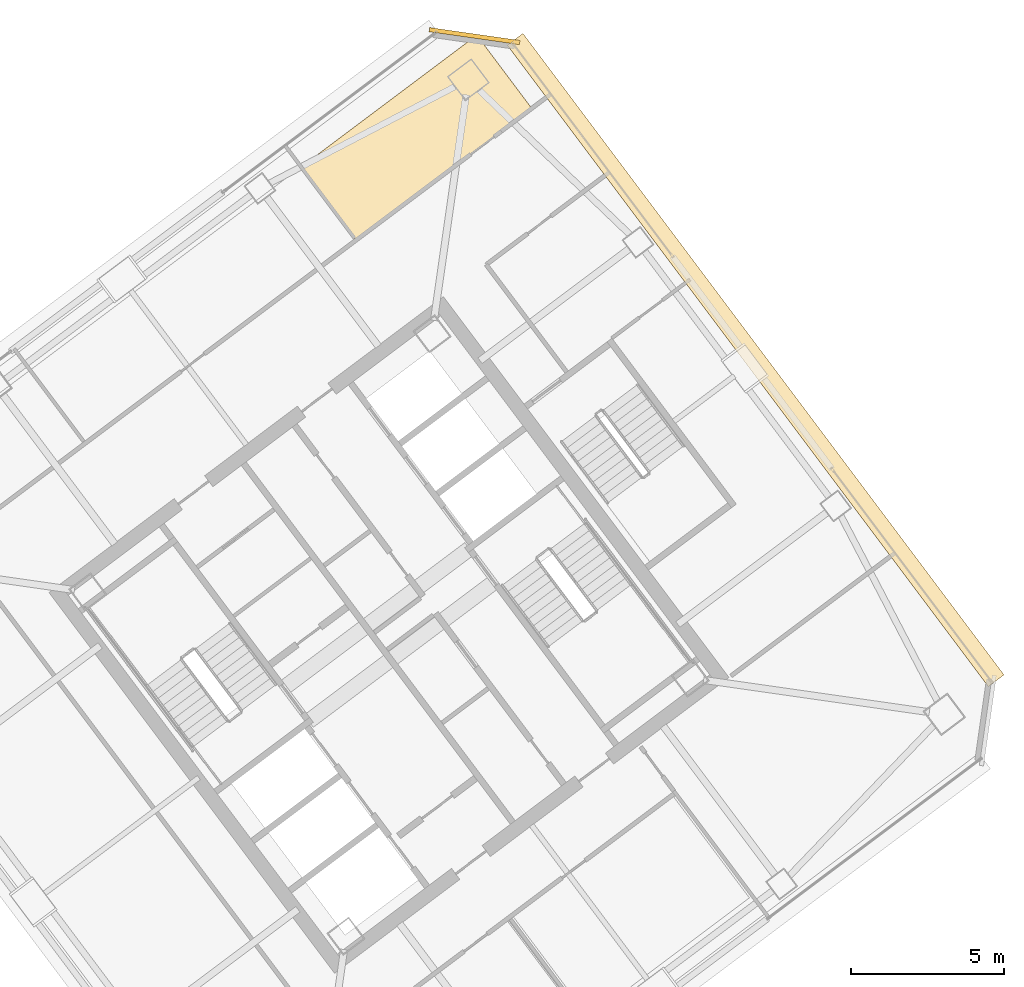
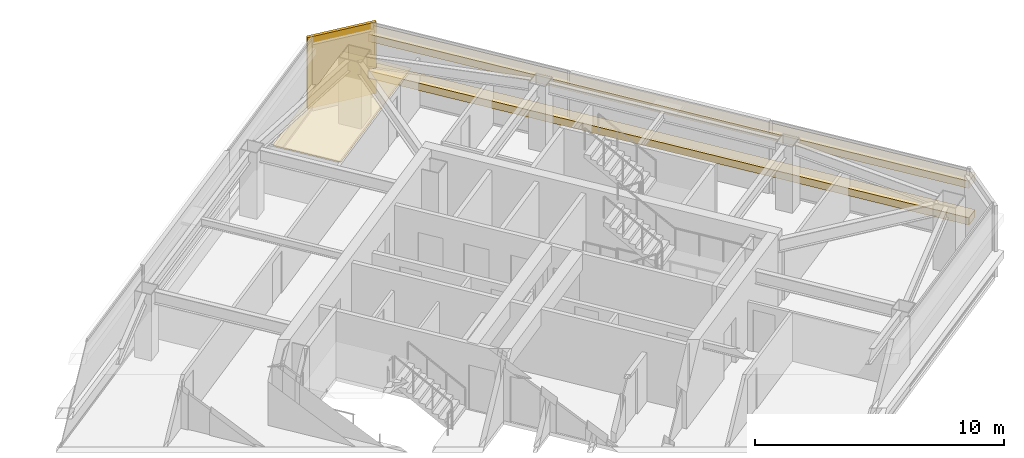
# One storey, part 39 of 39: 4 coverings.
"""IFC4 building model written with IfcOpenShell, lengths in metres."""

from ifc_helpers import new_model, si_unit, direction, frame, origin, origin_2d, place, context, subcontext, project, spatial, polyline, rectangle, outline, extrude, material, layer, layer_set, type_object, element, save


model = new_model("IFC4")

# Units and contexts
model_context = context("Model", 3, precision=1e-05, world=origin(), true_north=direction((0.0, 1.0)))
body_context = subcontext(model_context, "Body", "Model", "MODEL_VIEW")
ifc_project = project(units=[si_unit("LENGTHUNIT", "METRE"), si_unit("AREAUNIT", "SQUARE_METRE"), si_unit("VOLUMEUNIT", "CUBIC_METRE"), si_unit("PLANEANGLEUNIT", "RADIAN"), si_unit("MASSUNIT", "GRAM", prefix="KILO")], contexts=[model_context])

# Site, building, storey
site_placement = place(None, origin())
site = spatial("IfcSite", under=ifc_project, at=site_placement, CompositionType="ELEMENT")
building_placement = place(site_placement, origin())
building = spatial("IfcBuilding", under=site, at=building_placement, Name="Tashvorn Skyway Center", CompositionType="ELEMENT")
storey_placement = place(building_placement, frame((0.0, 0.0, 243.25)))
storey = spatial("IfcBuildingStorey", under=building, at=storey_placement, Name="L66", CompositionType="ELEMENT", Elevation=243.25)

# Coverings
ifc_material_1 = material(Name="Mineral-fibre acoustic ceiling tile on suspended grid")
ifc_layer_1 = layer(ifc_material_1, 0.02001953125)
ifc_layer_set_1 = layer_set([ifc_layer_1], Name="Mineral-fibre acoustic ceiling tile on suspended grid")
covering_type_1 = type_object("IfcCoveringType", Name="COV-CEIL-20", PredefinedType="CEILING", material=ifc_layer_set_1)
covering_1_placement = place(storey_placement, frame((0.0, 0.0, 2.373046875)))
element("IfcCovering", 1, at=covering_1_placement, inside=storey, type_object=covering_type_1, Name="Tower 2 L66 Security Control Room Acoustic Ceiling", PredefinedType="CEILING", context=body_context, shape_type="SweptSolid", body=[
    extrude(outline(polyline([(112.919921875, 44.93994140625), (118.679931640625, 49.260009765625), (116.8798828125, 51.659912109375), (111.1201171875, 47.340087890625), (112.919921875, 44.93994140625)])), origin(), (0.0, 0.0, 1.0), 0.02001953125),
])
ifc_material_2 = material(Name="Perforated ceramic-coated bronze aluminium solar screen", Category="aluminium")
ifc_layer_2 = layer(ifc_material_2, 0.85009765625)
ifc_layer_set_2 = layer_set([ifc_layer_2], Name="Perforated ceramic-coated bronze aluminium solar screen")
covering_type_2 = type_object("IfcCoveringType", Name="COV-SOLAR-BAND", PredefinedType="CLADDING", material=ifc_layer_set_2)
for number, where, z_axis, x_axis, name in (
    (2, (126.01611328125, 41.011962890625, 0.919921875), (0.0, 0.0, 1.0), (0.600000004945, -0.799999996291, 0.0), "L66 Perforated Ceramic-Metal Solar Screen Louvre Band East 1"),
    (3, (126.01611328125, 41.011962890625, 2.7197265625), (0.0, 0.0, 1.0), (0.600000004945, -0.799999996291, 0.0), "L66 Perforated Ceramic-Metal Solar Screen Louvre Band East 2"),
):
    element("IfcCovering", number, at=place(storey_placement, frame(where, z_axis=z_axis, x_axis=x_axis)), inside=storey, type_object=covering_type_2, Name=name, PredefinedType="CLADDING", context=body_context, shape_type="SweptSolid", body=[
        extrude(rectangle(XDim=26.280029296875, YDim=0.639892578125, at=origin_2d()), origin(), (0.0, 0.0, 1.0), 0.360107421875),
    ])
ifc_material_3 = material(Name="Precast concrete C40/50", Category="concrete")
ifc_layer_3 = layer(ifc_material_3, 0.35009765625)
ifc_layer_set_3 = layer_set([ifc_layer_3], Name="Precast concrete C40/50")
covering_type_3 = type_object("IfcCoveringType", Name="COV-STONE-TRIM", PredefinedType="CLADDING", material=ifc_layer_set_3)
covering_2_placement = place(storey_placement, frame((116.803955078125, 51.6279296875, 0.02001953125), z_axis=(0.0, 0.0, 1.0), x_axis=(0.989949494535, -0.141421350118, 0.0)))
element("IfcCovering", 4, at=covering_2_placement, inside=storey, type_object=covering_type_3, Name="Tower 2 L66 NE Mojave Limestone Corner Quoin", PredefinedType="CLADDING", context=body_context, shape_type="SweptSolid", body=[
    extrude(rectangle(XDim=2.98828125, YDim=0.139892578125, at=origin_2d()), origin(), (0.0, 0.0, 1.0), 3.510009765625),
])

save(model, "model.ifc")
